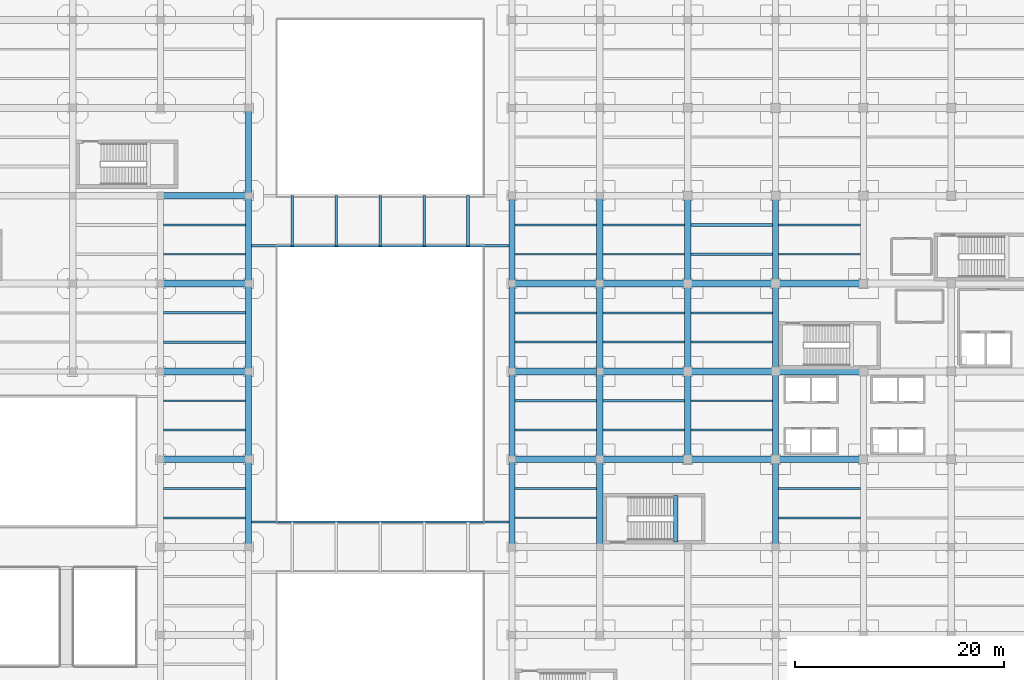
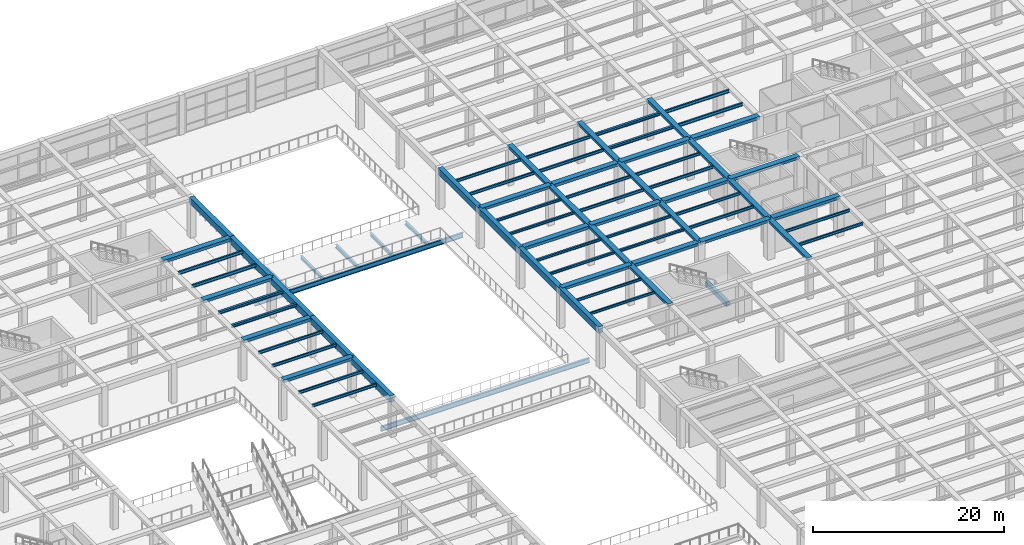
# One storey, part 42 of 96: 76 beams.
"""IFC4 building model written with IfcOpenShell, lengths in metres."""

from ifc_helpers import new_model, si_unit, direction, frame, origin, origin_2d, place, context, subcontext, project, spatial, rectangle, i_section, extrude, material, material_profile, profile_set, type_object, element, save


model = new_model("IFC4")

# Units and contexts
model_context = context("Model", 3, precision=1e-05, world=origin(), true_north=direction((0.0, 1.0)))
body_context = subcontext(model_context, "Body", "Model", "MODEL_VIEW")
ifc_project = project(units=[si_unit("LENGTHUNIT", "METRE"), si_unit("AREAUNIT", "SQUARE_METRE"), si_unit("VOLUMEUNIT", "CUBIC_METRE"), si_unit("PLANEANGLEUNIT", "RADIAN"), si_unit("MASSUNIT", "GRAM", prefix="KILO")], contexts=[model_context])

# Site, building, storey
site_placement = place(None, origin())
site = spatial("IfcSite", under=ifc_project, at=site_placement, CompositionType="ELEMENT")
building_placement = place(site_placement, origin())
building = spatial("IfcBuilding", under=site, at=building_placement, Name="Almacenes y Pasaje Nevantli", CompositionType="ELEMENT")
storey_placement = place(building_placement, frame((0.0, 0.0, 6.0)))
storey = spatial("IfcBuildingStorey", under=building, at=storey_placement, Name="L02", CompositionType="ELEMENT", Elevation=6.0)

# Beams
ifc_material_1 = material(Name="Concrete C35/45", Category="concrete")
ifc_material_profile_1 = material_profile(ifc_material_1, rectangle(XDim=0.39990234375, YDim=0.60009765625, at=origin_2d()), Name="RC-BM-400x600")
ifc_profile_set_1 = profile_set([ifc_material_profile_1], Name="Concrete C35/45")
beam_type_1 = type_object("IfcBeamType", Name="BM-RC-400x600", PredefinedType="SPANDREL", material=ifc_profile_set_1)
beam_1_placement = place(storey_placement, frame((108.050048828125, 59.300048828125, 2.199951171875), z_axis=(0.0, 1.0, 0.0), x_axis=(-1.0, 0.0, 0.0)))
element("IfcBeam", 1, at=beam_1_placement, inside=storey, type_object=beam_type_1, Name="L02 Stair ST-13 Half-Landing Support Beam", PredefinedType="SPANDREL", context=body_context, shape_type="SweptSolid", body=[
    extrude(rectangle(XDim=0.39990234375, YDim=0.60009765625, at=origin_2d()), origin(), (0.0, 0.0, 1.0), 4.449951171875),
])
ifc_material_2 = material(Name="Concrete C35/45", Category="concrete")
ifc_material_profile_2 = material_profile(ifc_material_2, rectangle(XDim=0.550048828125, YDim=0.800048828125, at=origin_2d()), Name="RC-BM-550x800")
ifc_profile_set_2 = profile_set([ifc_material_profile_2], Name="Concrete C35/45")
beam_type_2 = type_object("IfcBeamType", Name="BM-RC-550x800", PredefinedType="BEAM", material=ifc_profile_set_2)
beam_2_placement = place(storey_placement, frame((67.199951171875, 58.800048828125, 4.699951171875), z_axis=(0.0, 1.0, 0.0), x_axis=(-1.0, 0.0, 0.0)))
element("IfcBeam", 2, at=beam_2_placement, inside=storey, type_object=beam_type_2, Name="L02 North-South Reinforced Concrete Beam #2062", PredefinedType="BEAM", context=body_context, shape_type="SweptSolid", body=[
    extrude(rectangle(XDim=0.550048828125, YDim=0.800048828125, at=origin_2d()), origin(), (0.0, 0.0, 1.0), 8.39990234375),
])
beam_3_placement = place(storey_placement, frame((67.199951171875, 67.199951171875, 4.699951171875), z_axis=(0.0, 1.0, 0.0), x_axis=(-1.0, 0.0, 0.0)))
element("IfcBeam", 3, at=beam_3_placement, inside=storey, type_object=beam_type_2, Name="L02 North-South Reinforced Concrete Beam #2063", PredefinedType="BEAM", context=body_context, shape_type="SweptSolid", body=[
    extrude(rectangle(XDim=0.550048828125, YDim=0.800048828125, at=origin_2d()), origin(), (0.0, 0.0, 1.0), 8.400146484375),
])
for number, where, z_axis, x_axis, name in (
    (4, (67.199951171875, 75.60009765625, 4.699951171875), (0.0, 1.0, 0.0), (-1.0, 0.0, 0.0), "L02 North-South Reinforced Concrete Beam #2064"),
    (5, (67.199951171875, 84.0, 4.699951171875), (0.0, 1.0, 0.0), (-1.0, 0.0, 0.0), "L02 North-South Reinforced Concrete Beam #2065"),
):
    element("IfcBeam", number, at=place(storey_placement, frame(where, z_axis=z_axis, x_axis=x_axis)), inside=storey, type_object=beam_type_2, Name=name, PredefinedType="BEAM", context=body_context, shape_type="SweptSolid", body=[
        extrude(rectangle(XDim=0.550048828125, YDim=0.800048828125, at=origin_2d()), origin(), (0.0, 0.0, 1.0), 8.39990234375),
    ])
beam_4_placement = place(storey_placement, frame((67.199951171875, 92.39990234375, 4.699951171875), z_axis=(0.0, 1.0, 0.0), x_axis=(-1.0, 0.0, 0.0)))
element("IfcBeam", 6, at=beam_4_placement, inside=storey, type_object=beam_type_2, Name="L02 North-South Reinforced Concrete Beam #2066", PredefinedType="BEAM", context=body_context, shape_type="SweptSolid", body=[
    extrude(rectangle(XDim=0.550048828125, YDim=0.800048828125, at=origin_2d()), origin(), (0.0, 0.0, 1.0), 8.400146484375),
])
beam_5_placement = place(storey_placement, frame((92.39990234375, 58.800048828125, 4.699951171875), z_axis=(0.0, 1.0, 0.0), x_axis=(-1.0, 0.0, 0.0)))
element("IfcBeam", 7, at=beam_5_placement, inside=storey, type_object=beam_type_2, Name="L02 North-South Reinforced Concrete Beam #2076", PredefinedType="BEAM", context=body_context, shape_type="SweptSolid", body=[
    extrude(rectangle(XDim=0.550048828125, YDim=0.800048828125, at=origin_2d()), origin(), (0.0, 0.0, 1.0), 8.39990234375),
])
beam_6_placement = place(storey_placement, frame((92.39990234375, 67.199951171875, 4.699951171875), z_axis=(0.0, 1.0, 0.0), x_axis=(-1.0, 0.0, 0.0)))
element("IfcBeam", 8, at=beam_6_placement, inside=storey, type_object=beam_type_2, Name="L02 North-South Reinforced Concrete Beam #2077", PredefinedType="BEAM", context=body_context, shape_type="SweptSolid", body=[
    extrude(rectangle(XDim=0.550048828125, YDim=0.800048828125, at=origin_2d()), origin(), (0.0, 0.0, 1.0), 8.400146484375),
])
for number, where, z_axis, x_axis, name in (
    (9, (92.39990234375, 75.60009765625, 4.699951171875), (0.0, 1.0, 0.0), (-1.0, 0.0, 0.0), "L02 North-South Reinforced Concrete Beam #2078"),
    (10, (92.39990234375, 84.0, 4.699951171875), (0.0, 1.0, 0.0), (-1.0, 0.0, 0.0), "L02 North-South Reinforced Concrete Beam #2079"),
):
    element("IfcBeam", number, at=place(storey_placement, frame(where, z_axis=z_axis, x_axis=x_axis)), inside=storey, type_object=beam_type_2, Name=name, PredefinedType="BEAM", context=body_context, shape_type="SweptSolid", body=[
        extrude(rectangle(XDim=0.550048828125, YDim=0.800048828125, at=origin_2d()), origin(), (0.0, 0.0, 1.0), 8.39990234375),
    ])
ifc_material_3 = material(Name="Concrete C35/45", Category="concrete")
ifc_material_profile_3 = material_profile(ifc_material_3, rectangle(XDim=0.60009765625, YDim=0.320068359375, at=origin_2d()), Name="RC-BM-600x320")
ifc_profile_set_3 = profile_set([ifc_material_profile_3], Name="Concrete C35/45")
beam_type_3 = type_object("IfcBeamType", Name="BM-RC-600x320", PredefinedType="BEAM", material=ifc_profile_set_3)
for number, where, z_axis, x_axis, name in (
    (11, (100.800048828125, 58.800048828125, 4.93994140625), (0.0, 1.0, 0.0), (-1.0, 0.0, 0.0), "L02 North-South Reinforced Concrete Beam #2089"),
    (12, (100.800048828125, 75.60009765625, 4.93994140625), (0.0, 1.0, 0.0), (-1.0, 0.0, 0.0), "L02 North-South Reinforced Concrete Beam #2091"),
):
    element("IfcBeam", number, at=place(storey_placement, frame(where, z_axis=z_axis, x_axis=x_axis)), inside=storey, type_object=beam_type_3, Name=name, PredefinedType="BEAM", context=body_context, shape_type="SweptSolid", body=[
        extrude(rectangle(XDim=0.60009765625, YDim=0.320068359375, at=origin_2d()), origin(), (0.0, 0.0, 1.0), 8.39990234375),
    ])
beam_7_placement = place(storey_placement, frame((109.199951171875, 67.199951171875, 4.93994140625), z_axis=(0.0, 1.0, 0.0), x_axis=(-1.0, 0.0, 0.0)))
element("IfcBeam", 13, at=beam_7_placement, inside=storey, type_object=beam_type_3, Name="L02 North-South Reinforced Concrete Beam #2103", PredefinedType="BEAM", context=body_context, shape_type="SweptSolid", body=[
    extrude(rectangle(XDim=0.60009765625, YDim=0.320068359375, at=origin_2d()), origin(), (0.0, 0.0, 1.0), 8.400146484375),
])
for number, where, z_axis, x_axis, name in (
    (14, (109.199951171875, 84.0, 4.93994140625), (0.0, 1.0, 0.0), (-1.0, 0.0, 0.0), "L02 North-South Reinforced Concrete Beam #2105"),
    (15, (117.60009765625, 58.800048828125, 4.93994140625), (0.0, 1.0, 0.0), (-1.0, 0.0, 0.0), "L02 North-South Reinforced Concrete Beam #2116"),
    (16, (117.60009765625, 75.60009765625, 4.93994140625), (0.0, 1.0, 0.0), (-1.0, 0.0, 0.0), "L02 North-South Reinforced Concrete Beam #2118"),
):
    element("IfcBeam", number, at=place(storey_placement, frame(where, z_axis=z_axis, x_axis=x_axis)), inside=storey, type_object=beam_type_3, Name=name, PredefinedType="BEAM", context=body_context, shape_type="SweptSolid", body=[
        extrude(rectangle(XDim=0.60009765625, YDim=0.320068359375, at=origin_2d()), origin(), (0.0, 0.0, 1.0), 8.39990234375),
    ])
ifc_material_4 = material(Name="Concrete C35/45", Category="concrete")
ifc_material_profile_4 = material_profile(ifc_material_4, rectangle(XDim=0.60009765625, YDim=0.340087890625, at=origin_2d()), Name="RC-BM-600x340")
ifc_profile_set_4 = profile_set([ifc_material_profile_4], Name="Concrete C35/45")
beam_type_4 = type_object("IfcBeamType", Name="BM-RC-600x340", PredefinedType="BEAM", material=ifc_profile_set_4)
beam_8_placement = place(storey_placement, frame((100.800048828125, 67.199951171875, 4.929931640625), z_axis=(0.0, 1.0, 0.0), x_axis=(-1.0, 0.0, 0.0)))
element("IfcBeam", 17, at=beam_8_placement, inside=storey, type_object=beam_type_4, Name="L02 North-South Reinforced Concrete Beam #2090", PredefinedType="BEAM", context=body_context, shape_type="SweptSolid", body=[
    extrude(rectangle(XDim=0.60009765625, YDim=0.340087890625, at=origin_2d()), origin(), (0.0, 0.0, 1.0), 8.400146484375),
])
for number, where, z_axis, x_axis, name in (
    (18, (100.800048828125, 84.0, 4.929931640625), (0.0, 1.0, 0.0), (-1.0, 0.0, 0.0), "L02 North-South Reinforced Concrete Beam #2092"),
    (19, (109.199951171875, 75.60009765625, 4.929931640625), (0.0, 1.0, 0.0), (-1.0, 0.0, 0.0), "L02 North-South Reinforced Concrete Beam #2104"),
):
    element("IfcBeam", number, at=place(storey_placement, frame(where, z_axis=z_axis, x_axis=x_axis)), inside=storey, type_object=beam_type_4, Name=name, PredefinedType="BEAM", context=body_context, shape_type="SweptSolid", body=[
        extrude(rectangle(XDim=0.60009765625, YDim=0.340087890625, at=origin_2d()), origin(), (0.0, 0.0, 1.0), 8.39990234375),
    ])
beam_9_placement = place(storey_placement, frame((117.60009765625, 67.199951171875, 4.929931640625), z_axis=(0.0, 1.0, 0.0), x_axis=(-1.0, 0.0, 0.0)))
element("IfcBeam", 20, at=beam_9_placement, inside=storey, type_object=beam_type_4, Name="L02 North-South Reinforced Concrete Beam #2117", PredefinedType="BEAM", context=body_context, shape_type="SweptSolid", body=[
    extrude(rectangle(XDim=0.60009765625, YDim=0.340087890625, at=origin_2d()), origin(), (0.0, 0.0, 1.0), 8.400146484375),
])
beam_10_placement = place(storey_placement, frame((117.60009765625, 84.0, 4.929931640625), z_axis=(0.0, 1.0, 0.0), x_axis=(-1.0, 0.0, 0.0)))
element("IfcBeam", 21, at=beam_10_placement, inside=storey, type_object=beam_type_4, Name="L02 North-South Reinforced Concrete Beam #2119", PredefinedType="BEAM", context=body_context, shape_type="SweptSolid", body=[
    extrude(rectangle(XDim=0.60009765625, YDim=0.340087890625, at=origin_2d()), origin(), (0.0, 0.0, 1.0), 8.39990234375),
])
ifc_material_5 = material(Name="Concrete C35/45", Category="concrete")
ifc_material_profile_5 = material_profile(ifc_material_5, rectangle(XDim=0.64990234375, YDim=0.35009765625, at=origin_2d()), Name="RC-BM-650x350")
ifc_profile_set_5 = profile_set([ifc_material_profile_5], Name="Concrete C35/45")
beam_type_5 = type_object("IfcBeamType", Name="BM-RC-650x350", PredefinedType="BEAM", material=ifc_profile_set_5)
beam_11_placement = place(storey_placement, frame((58.800048828125, 67.199951171875, 4.925048828125), z_axis=(1.0, 0.0, 0.0), x_axis=(0.0, 1.0, 0.0)))
element("IfcBeam", 22, at=beam_11_placement, inside=storey, type_object=beam_type_5, Name="L02 East-West Reinforced Concrete Beam #1851", PredefinedType="BEAM", context=body_context, shape_type="SweptSolid", body=[
    extrude(rectangle(XDim=0.64990234375, YDim=0.35009765625, at=origin_2d()), origin(), (0.0, 0.0, 1.0), 8.39990234375),
])
for number, where, z_axis, x_axis, name in (
    (23, (92.39990234375, 67.199951171875, 4.925048828125), (1.0, 0.0, 0.0), (0.0, 1.0, 0.0), "L02 East-West Reinforced Concrete Beam #1852"),
    (24, (109.199951171875, 67.199951171875, 4.925048828125), (1.0, 0.0, 0.0), (0.0, 1.0, 0.0), "L02 East-West Reinforced Concrete Beam #1854"),
):
    element("IfcBeam", number, at=place(storey_placement, frame(where, z_axis=z_axis, x_axis=x_axis)), inside=storey, type_object=beam_type_5, Name=name, PredefinedType="BEAM", context=body_context, shape_type="SweptSolid", body=[
        extrude(rectangle(XDim=0.64990234375, YDim=0.35009765625, at=origin_2d()), origin(), (0.0, 0.0, 1.0), 8.400146484375),
    ])
for number, where, z_axis, x_axis, name in (
    (25, (100.800048828125, 75.60009765625, 4.925048828125), (1.0, 0.0, 0.0), (0.0, 1.0, 0.0), "L02 East-West Reinforced Concrete Beam #1870"),
    (26, (117.60009765625, 75.60009765625, 4.925048828125), (1.0, 0.0, 0.0), (0.0, 1.0, 0.0), "L02 East-West Reinforced Concrete Beam #1872"),
    (27, (58.800048828125, 84.0, 4.925048828125), (1.0, 0.0, 0.0), (0.0, 1.0, 0.0), "L02 East-West Reinforced Concrete Beam #1885"),
):
    element("IfcBeam", number, at=place(storey_placement, frame(where, z_axis=z_axis, x_axis=x_axis)), inside=storey, type_object=beam_type_5, Name=name, PredefinedType="BEAM", context=body_context, shape_type="SweptSolid", body=[
        extrude(rectangle(XDim=0.64990234375, YDim=0.35009765625, at=origin_2d()), origin(), (0.0, 0.0, 1.0), 8.39990234375),
    ])
for number, where, z_axis, x_axis, name in (
    (28, (92.39990234375, 84.0, 4.925048828125), (1.0, 0.0, 0.0), (0.0, 1.0, 0.0), "L02 East-West Reinforced Concrete Beam #1886"),
    (29, (109.199951171875, 84.0, 4.925048828125), (1.0, 0.0, 0.0), (0.0, 1.0, 0.0), "L02 East-West Reinforced Concrete Beam #1888"),
):
    element("IfcBeam", number, at=place(storey_placement, frame(where, z_axis=z_axis, x_axis=x_axis)), inside=storey, type_object=beam_type_5, Name=name, PredefinedType="BEAM", context=body_context, shape_type="SweptSolid", body=[
        extrude(rectangle(XDim=0.64990234375, YDim=0.35009765625, at=origin_2d()), origin(), (0.0, 0.0, 1.0), 8.400146484375),
    ])
ifc_material_6 = material(Name="Concrete C35/45", Category="concrete")
ifc_material_profile_6 = material_profile(ifc_material_6, rectangle(XDim=0.64990234375, YDim=0.3798828125, at=origin_2d()), Name="RC-BM-650x380")
ifc_profile_set_6 = profile_set([ifc_material_profile_6], Name="Concrete C35/45")
beam_type_6 = type_object("IfcBeamType", Name="BM-RC-650x380", PredefinedType="BEAM", material=ifc_profile_set_6)
for number, where, z_axis, x_axis, name in (
    (30, (100.800048828125, 67.199951171875, 4.909912109375), (1.0, 0.0, 0.0), (0.0, 1.0, 0.0), "L02 East-West Reinforced Concrete Beam #1853"),
    (31, (117.60009765625, 67.199951171875, 4.909912109375), (1.0, 0.0, 0.0), (0.0, 1.0, 0.0), "L02 East-West Reinforced Concrete Beam #1855"),
    (32, (58.800048828125, 75.60009765625, 4.909912109375), (1.0, 0.0, 0.0), (0.0, 1.0, 0.0), "L02 East-West Reinforced Concrete Beam #1868"),
):
    element("IfcBeam", number, at=place(storey_placement, frame(where, z_axis=z_axis, x_axis=x_axis)), inside=storey, type_object=beam_type_6, Name=name, PredefinedType="BEAM", context=body_context, shape_type="SweptSolid", body=[
        extrude(rectangle(XDim=0.64990234375, YDim=0.3798828125, at=origin_2d()), origin(), (0.0, 0.0, 1.0), 8.39990234375),
    ])
for number, where, z_axis, x_axis, name in (
    (33, (92.39990234375, 75.60009765625, 4.909912109375), (1.0, 0.0, 0.0), (0.0, 1.0, 0.0), "L02 East-West Reinforced Concrete Beam #1869"),
    (34, (109.199951171875, 75.60009765625, 4.909912109375), (1.0, 0.0, 0.0), (0.0, 1.0, 0.0), "L02 East-West Reinforced Concrete Beam #1871"),
):
    element("IfcBeam", number, at=place(storey_placement, frame(where, z_axis=z_axis, x_axis=x_axis)), inside=storey, type_object=beam_type_6, Name=name, PredefinedType="BEAM", context=body_context, shape_type="SweptSolid", body=[
        extrude(rectangle(XDim=0.64990234375, YDim=0.3798828125, at=origin_2d()), origin(), (0.0, 0.0, 1.0), 8.400146484375),
    ])
for number, where, z_axis, x_axis, name in (
    (35, (100.800048828125, 84.0, 4.909912109375), (1.0, 0.0, 0.0), (0.0, 1.0, 0.0), "L02 East-West Reinforced Concrete Beam #1887"),
    (36, (117.60009765625, 84.0, 4.909912109375), (1.0, 0.0, 0.0), (0.0, 1.0, 0.0), "L02 East-West Reinforced Concrete Beam #1889"),
    (37, (58.800048828125, 92.39990234375, 4.909912109375), (1.0, 0.0, 0.0), (0.0, 1.0, 0.0), "L02 East-West Reinforced Concrete Beam #1902"),
):
    element("IfcBeam", number, at=place(storey_placement, frame(where, z_axis=z_axis, x_axis=x_axis)), inside=storey, type_object=beam_type_6, Name=name, PredefinedType="BEAM", context=body_context, shape_type="SweptSolid", body=[
        extrude(rectangle(XDim=0.64990234375, YDim=0.3798828125, at=origin_2d()), origin(), (0.0, 0.0, 1.0), 8.39990234375),
    ])
ifc_material_7 = material(Name="Steel ASTM A992", Category="steel")
ifc_material_profile_7 = material_profile(ifc_material_7, i_section(OverallWidth=0.1650390625, OverallDepth=0.306884765625, WebThickness=0.006591796875, FlangeThickness=0.01025390625, at=origin_2d()), Name="IR 305x44.6")
ifc_profile_set_7 = profile_set([ifc_material_profile_7], Name="Steel ASTM A992")
beam_type_7 = type_object("IfcBeamType", Name="BM-STL-IR-305x44p6", PredefinedType="JOIST", material=ifc_profile_set_7)
for number, where, z_axis, x_axis, name in (
    (38, (92.675048828125, 61.60009765625, 4.9384765625), (1.0, 0.0, 0.0), (0.0, 1.0, 0.0), "L02 Secondary Steel Floor Joist #469"),
    (39, (92.675048828125, 64.39990234375, 4.9384765625), (1.0, 0.0, 0.0), (0.0, 1.0, 0.0), "L02 Secondary Steel Floor Joist #470"),
):
    element("IfcBeam", number, at=place(storey_placement, frame(where, z_axis=z_axis, x_axis=x_axis)), inside=storey, type_object=beam_type_7, Name=name, PredefinedType="JOIST", context=body_context, shape_type="SweptSolid", body=[
        extrude(i_section(OverallWidth=0.1650390625, OverallDepth=0.306884765625, WebThickness=0.006591796875, FlangeThickness=0.01025390625, at=origin_2d()), origin(), (0.0, 0.0, 1.0), 7.824951171875),
    ])
ifc_material_8 = material(Name="Steel ASTM A992", Category="steel")
ifc_material_profile_8 = material_profile(ifc_material_8, i_section(OverallWidth=0.202880859375, OverallDepth=0.304931640625, WebThickness=0.007568359375, FlangeThickness=0.01318359375, at=origin_2d()), Name="IR 305x59.5")
ifc_profile_set_8 = profile_set([ifc_material_profile_8], Name="Steel ASTM A992")
beam_type_8 = type_object("IfcBeamType", Name="BM-STL-IR-305x59p5", PredefinedType="JOIST", material=ifc_profile_set_8)
for number, where, z_axis, x_axis, name in (
    (40, (92.675048828125, 70.0, 4.939453125), (1.0, 0.0, 0.0), (0.0, 1.0, 0.0), "L02 Secondary Steel Floor Joist #471"),
    (41, (92.675048828125, 72.800048828125, 4.939453125), (1.0, 0.0, 0.0), (0.0, 1.0, 0.0), "L02 Secondary Steel Floor Joist #472"),
):
    element("IfcBeam", number, at=place(storey_placement, frame(where, z_axis=z_axis, x_axis=x_axis)), inside=storey, type_object=beam_type_8, Name=name, PredefinedType="JOIST", context=body_context, shape_type="SweptSolid", body=[
        extrude(i_section(OverallWidth=0.202880859375, OverallDepth=0.304931640625, WebThickness=0.007568359375, FlangeThickness=0.01318359375, at=origin_2d()), origin(), (0.0, 0.0, 1.0), 7.824951171875),
    ])
ifc_material_9 = material(Name="Steel ASTM A992", Category="steel")
ifc_material_profile_9 = material_profile(ifc_material_9, i_section(OverallWidth=0.205078125, OverallDepth=0.31005859375, WebThickness=0.009521484375, FlangeThickness=0.016357421875, at=origin_2d()), Name="IR 305x74.4")
ifc_profile_set_9 = profile_set([ifc_material_profile_9], Name="Steel ASTM A992")
beam_type_9 = type_object("IfcBeamType", Name="BM-STL-IR-305x74p4", PredefinedType="JOIST", material=ifc_profile_set_9)
for number, where, z_axis, x_axis, name in (
    (42, (92.675048828125, 78.39990234375, 4.93701171875), (1.0, 0.0, 0.0), (0.0, 1.0, 0.0), "L02 Secondary Steel Floor Joist #473"),
    (43, (92.675048828125, 81.199951171875, 4.93701171875), (1.0, 0.0, 0.0), (0.0, 1.0, 0.0), "L02 Secondary Steel Floor Joist #474"),
):
    element("IfcBeam", number, at=place(storey_placement, frame(where, z_axis=z_axis, x_axis=x_axis)), inside=storey, type_object=beam_type_9, Name=name, PredefinedType="JOIST", context=body_context, shape_type="SweptSolid", body=[
        extrude(i_section(OverallWidth=0.205078125, OverallDepth=0.31005859375, WebThickness=0.009521484375, FlangeThickness=0.016357421875, at=origin_2d()), origin(), (0.0, 0.0, 1.0), 7.824951171875),
    ])
for number, where, z_axis, x_axis, name in (
    (44, (101.10009765625, 70.0, 4.93701171875), (1.0, 0.0, 0.0), (0.0, 1.0, 0.0), "L02 Secondary Steel Floor Joist #495"),
    (45, (101.10009765625, 72.800048828125, 4.93701171875), (1.0, 0.0, 0.0), (0.0, 1.0, 0.0), "L02 Secondary Steel Floor Joist #496"),
):
    element("IfcBeam", number, at=place(storey_placement, frame(where, z_axis=z_axis, x_axis=x_axis)), inside=storey, type_object=beam_type_9, Name=name, PredefinedType="JOIST", context=body_context, shape_type="SweptSolid", body=[
        extrude(i_section(OverallWidth=0.205078125, OverallDepth=0.31005859375, WebThickness=0.009521484375, FlangeThickness=0.016357421875, at=origin_2d()), origin(), (0.0, 0.0, 1.0), 7.7998046875),
    ])
ifc_material_10 = material(Name="Steel ASTM A992", Category="steel")
ifc_material_profile_10 = material_profile(ifc_material_10, i_section(OverallWidth=0.173095703125, OverallDepth=0.35302734375, WebThickness=0.0078125, FlangeThickness=0.01318359375, at=origin_2d()), Name="IR 356x56.6")
ifc_profile_set_10 = profile_set([ifc_material_profile_10], Name="Steel ASTM A992")
beam_type_10 = type_object("IfcBeamType", Name="BM-STL-IR-356x56p6", PredefinedType="JOIST", material=ifc_profile_set_10)
for number, where, z_axis, x_axis, name in (
    (46, (59.10009765625, 61.60009765625, 4.91552734375), (1.0, 0.0, 0.0), (0.0, 1.0, 0.0), "L02 Secondary Steel Floor Joist #445"),
    (47, (59.10009765625, 64.39990234375, 4.91552734375), (1.0, 0.0, 0.0), (0.0, 1.0, 0.0), "L02 Secondary Steel Floor Joist #446"),
    (48, (92.675048828125, 86.800048828125, 4.91552734375), (1.0, 0.0, 0.0), (0.0, 1.0, 0.0), "L02 Secondary Steel Floor Joist #475"),
    (49, (92.675048828125, 89.60009765625, 4.91552734375), (1.0, 0.0, 0.0), (0.0, 1.0, 0.0), "L02 Secondary Steel Floor Joist #476"),
):
    element("IfcBeam", number, at=place(storey_placement, frame(where, z_axis=z_axis, x_axis=x_axis)), inside=storey, type_object=beam_type_10, Name=name, PredefinedType="JOIST", context=body_context, shape_type="SweptSolid", body=[
        extrude(i_section(OverallWidth=0.173095703125, OverallDepth=0.35302734375, WebThickness=0.0078125, FlangeThickness=0.01318359375, at=origin_2d()), origin(), (0.0, 0.0, 1.0), 7.824951171875),
    ])
for number, where, z_axis, x_axis, name in (
    (50, (101.10009765625, 78.39990234375, 4.91552734375), (1.0, 0.0, 0.0), (0.0, 1.0, 0.0), "L02 Secondary Steel Floor Joist #497"),
    (51, (101.10009765625, 81.199951171875, 4.91552734375), (1.0, 0.0, 0.0), (0.0, 1.0, 0.0), "L02 Secondary Steel Floor Joist #498"),
):
    element("IfcBeam", number, at=place(storey_placement, frame(where, z_axis=z_axis, x_axis=x_axis)), inside=storey, type_object=beam_type_10, Name=name, PredefinedType="JOIST", context=body_context, shape_type="SweptSolid", body=[
        extrude(i_section(OverallWidth=0.173095703125, OverallDepth=0.35302734375, WebThickness=0.0078125, FlangeThickness=0.01318359375, at=origin_2d()), origin(), (0.0, 0.0, 1.0), 7.7998046875),
    ])
for number, where, z_axis, x_axis, name in (
    (52, (109.5, 70.0, 4.91552734375), (1.0, 0.0, 0.0), (0.0, 1.0, 0.0), "L02 Secondary Steel Floor Joist #521"),
    (53, (109.5, 72.800048828125, 4.91552734375), (1.0, 0.0, 0.0), (0.0, 1.0, 0.0), "L02 Secondary Steel Floor Joist #522"),
    (54, (117.89990234375, 61.60009765625, 4.91552734375), (1.0, 0.0, 0.0), (0.0, 1.0, 0.0), "L02 Secondary Steel Floor Joist #547"),
    (55, (117.89990234375, 64.39990234375, 4.91552734375), (1.0, 0.0, 0.0), (0.0, 1.0, 0.0), "L02 Secondary Steel Floor Joist #548"),
):
    element("IfcBeam", number, at=place(storey_placement, frame(where, z_axis=z_axis, x_axis=x_axis)), inside=storey, type_object=beam_type_10, Name=name, PredefinedType="JOIST", context=body_context, shape_type="SweptSolid", body=[
        extrude(i_section(OverallWidth=0.173095703125, OverallDepth=0.35302734375, WebThickness=0.0078125, FlangeThickness=0.01318359375, at=origin_2d()), origin(), (0.0, 0.0, 1.0), 7.800048828125),
    ])
ifc_material_11 = material(Name="Steel ASTM A992", Category="steel")
ifc_material_profile_11 = material_profile(ifc_material_11, i_section(OverallWidth=0.173095703125, OverallDepth=0.364013671875, WebThickness=0.009033203125, FlangeThickness=0.015625, at=origin_2d()), Name="IR 356x67.0")
ifc_profile_set_11 = profile_set([ifc_material_profile_11], Name="Steel ASTM A992")
beam_type_11 = type_object("IfcBeamType", Name="BM-STL-IR-356x67p0", PredefinedType="JOIST", material=ifc_profile_set_11)
for number, where, z_axis, x_axis, name in (
    (56, (59.10009765625, 70.0, 4.909912109375), (1.0, 0.0, 0.0), (0.0, 1.0, 0.0), "L02 Secondary Steel Floor Joist #447"),
    (57, (59.10009765625, 72.800048828125, 4.909912109375), (1.0, 0.0, 0.0), (0.0, 1.0, 0.0), "L02 Secondary Steel Floor Joist #448"),
):
    element("IfcBeam", number, at=place(storey_placement, frame(where, z_axis=z_axis, x_axis=x_axis)), inside=storey, type_object=beam_type_11, Name=name, PredefinedType="JOIST", context=body_context, shape_type="SweptSolid", body=[
        extrude(i_section(OverallWidth=0.173095703125, OverallDepth=0.364013671875, WebThickness=0.009033203125, FlangeThickness=0.015625, at=origin_2d()), origin(), (0.0, 0.0, 1.0), 7.824951171875),
    ])
for number, where, z_axis, x_axis, name in (
    (58, (101.10009765625, 86.800048828125, 4.909912109375), (1.0, 0.0, 0.0), (0.0, 1.0, 0.0), "L02 Secondary Steel Floor Joist #499"),
    (59, (101.10009765625, 89.60009765625, 4.909912109375), (1.0, 0.0, 0.0), (0.0, 1.0, 0.0), "L02 Secondary Steel Floor Joist #500"),
):
    element("IfcBeam", number, at=place(storey_placement, frame(where, z_axis=z_axis, x_axis=x_axis)), inside=storey, type_object=beam_type_11, Name=name, PredefinedType="JOIST", context=body_context, shape_type="SweptSolid", body=[
        extrude(i_section(OverallWidth=0.173095703125, OverallDepth=0.364013671875, WebThickness=0.009033203125, FlangeThickness=0.015625, at=origin_2d()), origin(), (0.0, 0.0, 1.0), 7.7998046875),
    ])
for number, where, z_axis, x_axis, name in (
    (60, (109.5, 78.39990234375, 4.909912109375), (1.0, 0.0, 0.0), (0.0, 1.0, 0.0), "L02 Secondary Steel Floor Joist #523"),
    (61, (109.5, 81.199951171875, 4.909912109375), (1.0, 0.0, 0.0), (0.0, 1.0, 0.0), "L02 Secondary Steel Floor Joist #524"),
):
    element("IfcBeam", number, at=place(storey_placement, frame(where, z_axis=z_axis, x_axis=x_axis)), inside=storey, type_object=beam_type_11, Name=name, PredefinedType="JOIST", context=body_context, shape_type="SweptSolid", body=[
        extrude(i_section(OverallWidth=0.173095703125, OverallDepth=0.364013671875, WebThickness=0.009033203125, FlangeThickness=0.015625, at=origin_2d()), origin(), (0.0, 0.0, 1.0), 7.800048828125),
    ])
ifc_material_12 = material(Name="Steel ASTM A992", Category="steel")
ifc_material_profile_12 = material_profile(ifc_material_12, i_section(OverallWidth=0.25390625, OverallDepth=0.35595703125, WebThickness=0.009521484375, FlangeThickness=0.016357421875, at=origin_2d()), Name="IR 356x79.0")
ifc_profile_set_12 = profile_set([ifc_material_profile_12], Name="Steel ASTM A992")
beam_type_12 = type_object("IfcBeamType", Name="BM-STL-IR-356x79p0", PredefinedType="JOIST", material=ifc_profile_set_12)
for number, where, z_axis, x_axis, name in (
    (62, (59.10009765625, 78.39990234375, 4.9140625), (1.0, 0.0, 0.0), (0.0, 1.0, 0.0), "L02 Secondary Steel Floor Joist #449"),
    (63, (59.10009765625, 81.199951171875, 4.9140625), (1.0, 0.0, 0.0), (0.0, 1.0, 0.0), "L02 Secondary Steel Floor Joist #450"),
):
    element("IfcBeam", number, at=place(storey_placement, frame(where, z_axis=z_axis, x_axis=x_axis)), inside=storey, type_object=beam_type_12, Name=name, PredefinedType="JOIST", context=body_context, shape_type="SweptSolid", body=[
        extrude(i_section(OverallWidth=0.25390625, OverallDepth=0.35595703125, WebThickness=0.009521484375, FlangeThickness=0.016357421875, at=origin_2d()), origin(), (0.0, 0.0, 1.0), 7.824951171875),
    ])
for number, where, z_axis, x_axis, name in (
    (64, (109.5, 86.800048828125, 4.9140625), (1.0, 0.0, 0.0), (0.0, 1.0, 0.0), "L02 Secondary Steel Floor Joist #525"),
    (65, (109.5, 89.60009765625, 4.9140625), (1.0, 0.0, 0.0), (0.0, 1.0, 0.0), "L02 Secondary Steel Floor Joist #526"),
):
    element("IfcBeam", number, at=place(storey_placement, frame(where, z_axis=z_axis, x_axis=x_axis)), inside=storey, type_object=beam_type_12, Name=name, PredefinedType="JOIST", context=body_context, shape_type="SweptSolid", body=[
        extrude(i_section(OverallWidth=0.25390625, OverallDepth=0.35595703125, WebThickness=0.009521484375, FlangeThickness=0.016357421875, at=origin_2d()), origin(), (0.0, 0.0, 1.0), 7.800048828125),
    ])
ifc_material_13 = material(Name="Steel ASTM A992", Category="steel")
ifc_material_profile_13 = material_profile(ifc_material_13, i_section(OverallWidth=0.178955078125, OverallDepth=0.406005859375, WebThickness=0.0087890625, FlangeThickness=0.014404296875, at=origin_2d()), Name="IR 406x67.0")
ifc_profile_set_13 = profile_set([ifc_material_profile_13], Name="Steel ASTM A992")
beam_type_13 = type_object("IfcBeamType", Name="BM-STL-IR-406x67p0", PredefinedType="JOIST", material=ifc_profile_set_13)
for number, where, z_axis, x_axis, name in (
    (66, (59.10009765625, 86.800048828125, 4.888916015625), (1.0, 0.0, 0.0), (0.0, 1.0, 0.0), "L02 Secondary Steel Floor Joist #451"),
    (67, (59.10009765625, 89.60009765625, 4.888916015625), (1.0, 0.0, 0.0), (0.0, 1.0, 0.0), "L02 Secondary Steel Floor Joist #452"),
):
    element("IfcBeam", number, at=place(storey_placement, frame(where, z_axis=z_axis, x_axis=x_axis)), inside=storey, type_object=beam_type_13, Name=name, PredefinedType="JOIST", context=body_context, shape_type="SweptSolid", body=[
        extrude(i_section(OverallWidth=0.178955078125, OverallDepth=0.406005859375, WebThickness=0.0087890625, FlangeThickness=0.014404296875, at=origin_2d()), origin(), (0.0, 0.0, 1.0), 7.824951171875),
    ])
for number, where, z_axis, x_axis, name in (
    (68, (117.89990234375, 86.800048828125, 4.888916015625), (1.0, 0.0, 0.0), (0.0, 1.0, 0.0), "L02 Secondary Steel Floor Joist #549"),
    (69, (117.89990234375, 89.60009765625, 4.888916015625), (1.0, 0.0, 0.0), (0.0, 1.0, 0.0), "L02 Secondary Steel Floor Joist #550"),
):
    element("IfcBeam", number, at=place(storey_placement, frame(where, z_axis=z_axis, x_axis=x_axis)), inside=storey, type_object=beam_type_13, Name=name, PredefinedType="JOIST", context=body_context, shape_type="SweptSolid", body=[
        extrude(i_section(OverallWidth=0.178955078125, OverallDepth=0.406005859375, WebThickness=0.0087890625, FlangeThickness=0.014404296875, at=origin_2d()), origin(), (0.0, 0.0, 1.0), 7.800048828125),
    ])
ifc_material_14 = material(Name="Steel ASTM A992", Category="steel")
ifc_material_profile_14 = material_profile(ifc_material_14, i_section(OverallWidth=0.260009765625, OverallDepth=0.4130859375, WebThickness=0.010009765625, FlangeThickness=0.017333984375, at=origin_2d()), Name="IR 406x99.7")
ifc_profile_set_14 = profile_set([ifc_material_profile_14], Name="Steel ASTM A992")
beam_type_14 = type_object("IfcBeamType", Name="BM-STL-IR-406x99p7", PredefinedType="BEAM", material=ifc_profile_set_14)
for number, where, z_axis, x_axis, name in (
    (70, (71.39990234375, 87.60009765625, -0.514404296875), (0.0, 1.0, 0.0), (-1.0, 0.0, 0.0), "L02 Arcade Gallery Bridge Cross Beam #17"),
    (71, (75.60009765625, 87.60009765625, -0.514404296875), (0.0, 1.0, 0.0), (-1.0, 0.0, 0.0), "L02 Arcade Gallery Bridge Cross Beam #18"),
    (72, (79.800048828125, 87.60009765625, -0.514404296875), (0.0, 1.0, 0.0), (-1.0, 0.0, 0.0), "L02 Arcade Gallery Bridge Cross Beam #19"),
    (73, (84.0, 87.60009765625, -0.514404296875), (0.0, 1.0, 0.0), (-1.0, 0.0, 0.0), "L02 Arcade Gallery Bridge Cross Beam #20"),
    (74, (88.199951171875, 87.60009765625, -0.514404296875), (0.0, 1.0, 0.0), (-1.0, 0.0, 0.0), "L02 Arcade Gallery Bridge Cross Beam #21"),
):
    element("IfcBeam", number, at=place(storey_placement, frame(where, z_axis=z_axis, x_axis=x_axis)), inside=storey, type_object=beam_type_14, Name=name, PredefinedType="BEAM", context=body_context, shape_type="SweptSolid", body=[
        extrude(i_section(OverallWidth=0.260009765625, OverallDepth=0.4130859375, WebThickness=0.010009765625, FlangeThickness=0.017333984375, at=origin_2d()), origin(), (0.0, 0.0, 1.0), 4.7998046875),
    ])
ifc_material_15 = material(Name="Steel ASTM A992", Category="steel")
ifc_material_profile_15 = material_profile(ifc_material_15, i_section(OverallWidth=0.22900390625, OverallDepth=0.612060546875, WebThickness=0.011962890625, FlangeThickness=0.01953125, at=origin_2d()), Name="IR 610x125.0")
ifc_profile_set_15 = profile_set([ifc_material_profile_15], Name="Steel ASTM A992")
beam_type_15 = type_object("IfcBeamType", Name="BM-STL-IR-610x125p0", PredefinedType="BEAM", material=ifc_profile_set_15)
beam_12_placement = place(storey_placement, frame((67.199951171875, 61.199951171875, -0.614013671875), z_axis=(1.0, 0.0, 0.0), x_axis=(0.0, 1.0, 0.0)))
element("IfcBeam", 75, at=beam_12_placement, inside=storey, type_object=beam_type_15, Name="L02 Arcade Gallery Bridge Steel Girder BRG-ARC-2.2", PredefinedType="BEAM", context=body_context, shape_type="SweptSolid", body=[
    extrude(i_section(OverallWidth=0.22900390625, OverallDepth=0.612060546875, WebThickness=0.011962890625, FlangeThickness=0.01953125, at=origin_2d()), origin(), (0.0, 0.0, 1.0), 25.199951171875),
])
ifc_material_16 = material(Name="Steel ASTM A992", Category="steel")
ifc_material_profile_16 = material_profile(ifc_material_16, i_section(OverallWidth=0.22998046875, OverallDepth=0.616943359375, WebThickness=0.01318359375, FlangeThickness=0.022216796875, at=origin_2d()), Name="IR 610x140.0")
ifc_profile_set_16 = profile_set([ifc_material_profile_16], Name="Steel ASTM A992")
beam_type_16 = type_object("IfcBeamType", Name="BM-STL-IR-610x140p0", PredefinedType="BEAM", material=ifc_profile_set_16)
beam_13_placement = place(storey_placement, frame((67.199951171875, 87.60009765625, -0.616455078125), z_axis=(1.0, 0.0, 0.0), x_axis=(0.0, 1.0, 0.0)))
element("IfcBeam", 76, at=beam_13_placement, inside=storey, type_object=beam_type_16, Name="L02 Arcade Gallery Bridge Steel Girder BRG-ARC-3.1", PredefinedType="BEAM", context=body_context, shape_type="SweptSolid", body=[
    extrude(i_section(OverallWidth=0.22998046875, OverallDepth=0.616943359375, WebThickness=0.01318359375, FlangeThickness=0.022216796875, at=origin_2d()), origin(), (0.0, 0.0, 1.0), 25.199951171875),
])

save(model, "model.ifc")
